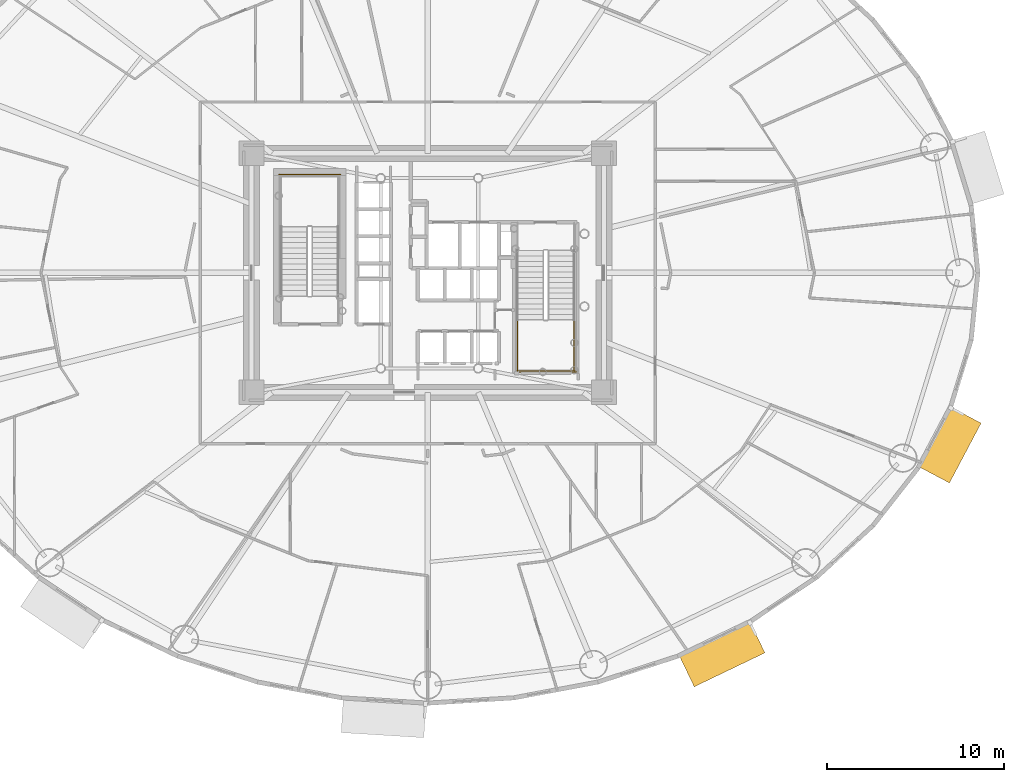
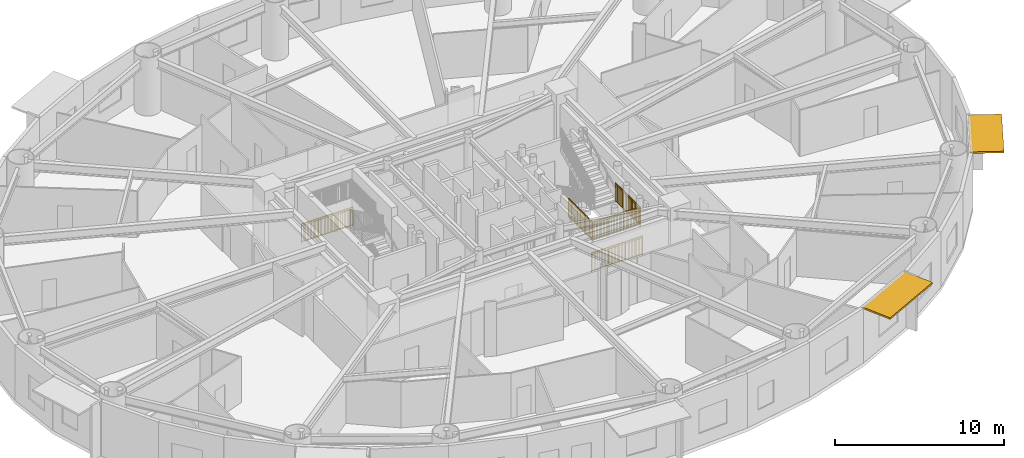
# One storey, part 18 of 21: 5 railings, 2 shading devices.
"""IFC4 building model written with IfcOpenShell, lengths in metres."""

from ifc_helpers import new_model, si_unit, direction, frame, origin, origin_2d, place, context, subcontext, project, spatial, rectangle, extrude, source, transform, mapped, material, layer, layer_set, type_object, element, save


model = new_model("IFC4")

# Units and contexts
model_context = context("Model", 3, precision=1e-05, world=origin(), true_north=direction((0.0, 1.0)))
body_context = subcontext(model_context, "Body", "Model", "MODEL_VIEW")
ifc_project = project(units=[si_unit("LENGTHUNIT", "METRE"), si_unit("AREAUNIT", "SQUARE_METRE"), si_unit("VOLUMEUNIT", "CUBIC_METRE"), si_unit("PLANEANGLEUNIT", "RADIAN"), si_unit("MASSUNIT", "GRAM", prefix="KILO")], contexts=[model_context])

# Site, building, storey
site_placement = place(None, origin())
site = spatial("IfcSite", under=ifc_project, at=site_placement, CompositionType="ELEMENT")
building_placement = place(site_placement, origin())
building = spatial("IfcBuilding", under=site, at=building_placement, Name="Linh Dai School and Residence Tower", CompositionType="ELEMENT")
storey_placement = place(building_placement, frame((0.0, 0.0, 78.60009765625)))
storey = spatial("IfcBuildingStorey", under=building, at=storey_placement, Name="L18", CompositionType="ELEMENT", Elevation=78.60009765625)

# Shading devices
ifc_material_1 = material(Name="Terracotta Ceramic Sunshade", Category="masonry")
ifc_layer = layer(ifc_material_1, 0.1201171875)
ifc_layer_set = layer_set([ifc_layer], Name="Terracotta Ceramic Sunshade")
shading_device_type = type_object("IfcShadingDeviceType", Name="SHD-TC-2000", PredefinedType="USERDEFINED", material=ifc_layer_set)
shared_shape_1 = source(origin(), body_context, "Body", "SweptSolid", [
    extrude(rectangle(XDim=4.428466796875, YDim=2.0, at=origin_2d()), origin(), (0.0, 0.0, 1.0), 0.1201171875),
])
shading_device_1_placement = place(storey_placement, frame((52.613037109375, 5.48095703125, 3.809814453125), z_axis=(0.0, 0.0, 1.0), x_axis=(-0.901584514626, -0.432603008528, 0.0)))
element("IfcShadingDevice", 1, at=shading_device_1_placement, inside=storey, type_object=shading_device_type, Name="L18 Terracotta Horizontal Sunshade Band 34", ObjectType="SUNSHADE", PredefinedType="USERDEFINED", context=body_context, shape_type="MappedRepresentation", body=[
    mapped(shared_shape_1, transform((0.0, 0.0, 0.0), x_axis=(1.0, 0.0, 0.0), y_axis=(0.0, 1.0, 0.0), z_axis=(0.0, 0.0, 1.0), scale=1.0)),
])
shared_shape_2 = source(origin(), body_context, "Body", "SweptSolid", [
    extrude(rectangle(XDim=3.824462890625, YDim=2.0, at=origin_2d()), origin(), (0.0, 0.0, 1.0), 0.1201171875),
])
shading_device_2_placement = place(storey_placement, frame((65.474609375, 17.2890625, 3.809814453125), z_axis=(0.0, 0.0, 1.0), x_axis=(-0.467611940042, -0.883933862645, 0.0)))
element("IfcShadingDevice", 2, at=shading_device_2_placement, inside=storey, type_object=shading_device_type, Name="L18 Terracotta Horizontal Sunshade Band 38", ObjectType="SUNSHADE", PredefinedType="USERDEFINED", context=body_context, shape_type="MappedRepresentation", body=[
    mapped(shared_shape_2, transform((0.0, 0.0, 0.0), x_axis=(1.0, 0.0, 0.0), y_axis=(0.0, 1.0, 0.0), z_axis=(0.0, 0.0, 1.0), scale=1.0)),
])

# Railings
ifc_material_2 = material(Name="Structural Steel S355JR", Category="steel")
railing_type = type_object("IfcRailingType", Name="RL-ST-GUARD-1400", PredefinedType="GUARDRAIL", material=ifc_material_2)
shared_shape_3 = source(origin(), body_context, "Body", "SweptSolid", [
    extrude(rectangle(XDim=0.048095703125, YDim=0.048095703125, at=origin_2d()), frame((0.0, 0.0, 1.3759765625), z_axis=(-1.0, 0.0, 0.0), x_axis=(0.0, -1.0, 0.0)), (0.0, 0.0, 1.0), 3.5),
    extrude(rectangle(XDim=0.048095703125, YDim=0.048095703125, at=origin_2d()), frame((0.0, 0.0, 0.10009765625), z_axis=(-1.0, 0.0, 0.0), x_axis=(0.0, -1.0, 0.0)), (0.0, 0.0, 1.0), 3.5),
    extrude(rectangle(XDim=0.030029296875, YDim=0.030029296875, at=origin_2d()), frame((0.0, 0.0, 1.239990234375), z_axis=(-1.0, 0.0, 0.0), x_axis=(0.0, -1.0, 0.0)), (0.0, 0.0, 1.0), 3.5),
    extrude(rectangle(XDim=0.02001953125, YDim=0.02001953125, at=origin_2d()), frame((-0.09716796875, 0.0, 0.10009765625)), (0.0, 0.0, 1.0), 1.251708984375),
    extrude(rectangle(XDim=0.02001953125, YDim=0.02001953125, at=origin_2d()), frame((-0.1943359375, 0.0, 0.10009765625)), (0.0, 0.0, 1.0), 1.251708984375),
    extrude(rectangle(XDim=0.02001953125, YDim=0.02001953125, at=origin_2d()), frame((-0.291748046875, 0.0, 0.10009765625)), (0.0, 0.0, 1.0), 1.251708984375),
    extrude(rectangle(XDim=0.02001953125, YDim=0.02001953125, at=origin_2d()), frame((-0.388916015625, 0.0, 0.10009765625)), (0.0, 0.0, 1.0), 1.251708984375),
    extrude(rectangle(XDim=0.02001953125, YDim=0.02001953125, at=origin_2d()), frame((-0.486083984375, 0.0, 0.10009765625)), (0.0, 0.0, 1.0), 1.251708984375),
    extrude(rectangle(XDim=0.02001953125, YDim=0.02001953125, at=origin_2d()), frame((-0.583251953125, 0.0, 0.10009765625)), (0.0, 0.0, 1.0), 1.251708984375),
    extrude(rectangle(XDim=0.02001953125, YDim=0.02001953125, at=origin_2d()), frame((-0.6806640625, 0.0, 0.10009765625)), (0.0, 0.0, 1.0), 1.251708984375),
    extrude(rectangle(XDim=0.02001953125, YDim=0.02001953125, at=origin_2d()), frame((-0.77783203125, 0.0, 0.10009765625)), (0.0, 0.0, 1.0), 1.251708984375),
    extrude(rectangle(XDim=0.02001953125, YDim=0.02001953125, at=origin_2d()), frame((-0.875, 0.0, 0.10009765625)), (0.0, 0.0, 1.0), 1.251708984375),
    extrude(rectangle(XDim=0.02001953125, YDim=0.02001953125, at=origin_2d()), frame((-0.97216796875, 0.0, 0.10009765625)), (0.0, 0.0, 1.0), 1.251708984375),
    extrude(rectangle(XDim=0.02001953125, YDim=0.02001953125, at=origin_2d()), frame((-1.0693359375, 0.0, 0.10009765625)), (0.0, 0.0, 1.0), 1.251708984375),
    extrude(rectangle(XDim=0.02001953125, YDim=0.02001953125, at=origin_2d()), frame((-1.263916015625, 0.0, 0.10009765625)), (0.0, 0.0, 1.0), 1.251708984375),
    extrude(rectangle(XDim=0.02001953125, YDim=0.02001953125, at=origin_2d()), frame((-1.361083984375, 0.0, 0.10009765625)), (0.0, 0.0, 1.0), 1.251708984375),
    extrude(rectangle(XDim=0.02001953125, YDim=0.02001953125, at=origin_2d()), frame((-1.458251953125, 0.0, 0.10009765625)), (0.0, 0.0, 1.0), 1.251708984375),
    extrude(rectangle(XDim=0.02001953125, YDim=0.02001953125, at=origin_2d()), frame((-1.5556640625, 0.0, 0.10009765625)), (0.0, 0.0, 1.0), 1.251708984375),
    extrude(rectangle(XDim=0.02001953125, YDim=0.02001953125, at=origin_2d()), frame((-1.65283203125, 0.0, 0.10009765625)), (0.0, 0.0, 1.0), 1.251708984375),
    extrude(rectangle(XDim=0.02001953125, YDim=0.02001953125, at=origin_2d()), frame((-1.75, 0.0, 0.10009765625)), (0.0, 0.0, 1.0), 1.251708984375),
    extrude(rectangle(XDim=0.02001953125, YDim=0.02001953125, at=origin_2d()), frame((-1.84716796875, 0.0, 0.10009765625)), (0.0, 0.0, 1.0), 1.251708984375),
    extrude(rectangle(XDim=0.02001953125, YDim=0.02001953125, at=origin_2d()), frame((-1.9443359375, 0.0, 0.10009765625)), (0.0, 0.0, 1.0), 1.251708984375),
    extrude(rectangle(XDim=0.02001953125, YDim=0.02001953125, at=origin_2d()), frame((-2.041748046875, 0.0, 0.10009765625)), (0.0, 0.0, 1.0), 1.251708984375),
    extrude(rectangle(XDim=0.02001953125, YDim=0.02001953125, at=origin_2d()), frame((-2.138916015625, 0.0, 0.10009765625)), (0.0, 0.0, 1.0), 1.251708984375),
    extrude(rectangle(XDim=0.02001953125, YDim=0.02001953125, at=origin_2d()), frame((-2.236083984375, 0.0, 0.10009765625)), (0.0, 0.0, 1.0), 1.251708984375),
    extrude(rectangle(XDim=0.02001953125, YDim=0.02001953125, at=origin_2d()), frame((-2.4306640625, 0.0, 0.10009765625)), (0.0, 0.0, 1.0), 1.251708984375),
    extrude(rectangle(XDim=0.02001953125, YDim=0.02001953125, at=origin_2d()), frame((-2.52783203125, 0.0, 0.10009765625)), (0.0, 0.0, 1.0), 1.251708984375),
    extrude(rectangle(XDim=0.02001953125, YDim=0.02001953125, at=origin_2d()), frame((-2.625, 0.0, 0.10009765625)), (0.0, 0.0, 1.0), 1.251708984375),
    extrude(rectangle(XDim=0.02001953125, YDim=0.02001953125, at=origin_2d()), frame((-2.72216796875, 0.0, 0.10009765625)), (0.0, 0.0, 1.0), 1.251708984375),
    extrude(rectangle(XDim=0.02001953125, YDim=0.02001953125, at=origin_2d()), frame((-2.8193359375, 0.0, 0.10009765625)), (0.0, 0.0, 1.0), 1.251708984375),
    extrude(rectangle(XDim=0.02001953125, YDim=0.02001953125, at=origin_2d()), frame((-2.916748046875, 0.0, 0.10009765625)), (0.0, 0.0, 1.0), 1.251708984375),
    extrude(rectangle(XDim=0.02001953125, YDim=0.02001953125, at=origin_2d()), frame((-3.013916015625, 0.0, 0.10009765625)), (0.0, 0.0, 1.0), 1.251708984375),
    extrude(rectangle(XDim=0.02001953125, YDim=0.02001953125, at=origin_2d()), frame((-3.111083984375, 0.0, 0.10009765625)), (0.0, 0.0, 1.0), 1.251708984375),
    extrude(rectangle(XDim=0.02001953125, YDim=0.02001953125, at=origin_2d()), frame((-3.208251953125, 0.0, 0.10009765625)), (0.0, 0.0, 1.0), 1.251708984375),
    extrude(rectangle(XDim=0.02001953125, YDim=0.02001953125, at=origin_2d()), frame((-3.3056640625, 0.0, 0.10009765625)), (0.0, 0.0, 1.0), 1.251708984375),
    extrude(rectangle(XDim=0.02001953125, YDim=0.02001953125, at=origin_2d()), frame((-3.40283203125, 0.0, 0.10009765625)), (0.0, 0.0, 1.0), 1.251708984375),
    extrude(rectangle(XDim=0.0419921875, YDim=0.0419921875, at=origin_2d()), origin(), (0.0, 0.0, 1.0), 1.3759765625),
    extrude(rectangle(XDim=0.0419921875, YDim=0.0419921875, at=origin_2d()), frame((-1.166748046875, 0.0, 0.0)), (0.0, 0.0, 1.0), 1.3759765625),
    extrude(rectangle(XDim=0.0419921875, YDim=0.0419921875, at=origin_2d()), frame((-2.333251953125, 0.0, 0.0)), (0.0, 0.0, 1.0), 1.3759765625),
    extrude(rectangle(XDim=0.0419921875, YDim=0.0419921875, at=origin_2d()), frame((-3.5, 0.0, 0.0)), (0.0, 0.0, 1.0), 1.3759765625),
])
railing_1_placement = place(storey_placement, frame((31.080078125, 32.550048828125, 0.0)))
element("IfcRailing", 3, at=railing_1_placement, inside=storey, type_object=railing_type, Name="L18 ST1 stair guard 12", PredefinedType="GUARDRAIL", context=body_context, shape_type="MappedRepresentation", body=[
    mapped(shared_shape_3, transform((0.0, 0.0, 0.0), x_axis=(1.0, 0.0, 0.0), y_axis=(0.0, 1.0, 0.0), z_axis=(0.0, 0.0, 1.0), scale=1.0)),
])
shared_shape_4 = source(origin(), body_context, "Body", "SweptSolid", [
    extrude(rectangle(XDim=0.048095703125, YDim=0.048095703125, at=origin_2d()), frame((0.0, 0.0, 1.3759765625), z_axis=(1.0, 0.0, 0.0), x_axis=(0.0, 1.0, 0.0)), (0.0, 0.0, 1.0), 3.300048828125),
    extrude(rectangle(XDim=0.048095703125, YDim=0.048095703125, at=origin_2d()), frame((0.0, 0.0, 0.10009765625), z_axis=(1.0, 0.0, 0.0), x_axis=(0.0, 1.0, 0.0)), (0.0, 0.0, 1.0), 3.300048828125),
    extrude(rectangle(XDim=0.030029296875, YDim=0.030029296875, at=origin_2d()), frame((0.0, 0.0, 1.239990234375), z_axis=(1.0, 0.0, 0.0), x_axis=(0.0, 1.0, 0.0)), (0.0, 0.0, 1.0), 3.300048828125),
    extrude(rectangle(XDim=0.02001953125, YDim=0.02001953125, at=origin_2d()), frame((0.09716796875, 0.0, 0.10009765625)), (0.0, 0.0, 1.0), 1.251708984375),
    extrude(rectangle(XDim=0.02001953125, YDim=0.02001953125, at=origin_2d()), frame((0.194091796875, 0.0, 0.10009765625)), (0.0, 0.0, 1.0), 1.251708984375),
    extrude(rectangle(XDim=0.02001953125, YDim=0.02001953125, at=origin_2d()), frame((0.291259765625, 0.0, 0.10009765625)), (0.0, 0.0, 1.0), 1.251708984375),
    extrude(rectangle(XDim=0.02001953125, YDim=0.02001953125, at=origin_2d()), frame((0.38818359375, 0.0, 0.10009765625)), (0.0, 0.0, 1.0), 1.251708984375),
    extrude(rectangle(XDim=0.02001953125, YDim=0.02001953125, at=origin_2d()), frame((0.4853515625, 0.0, 0.10009765625)), (0.0, 0.0, 1.0), 1.251708984375),
    extrude(rectangle(XDim=0.02001953125, YDim=0.02001953125, at=origin_2d()), frame((0.582275390625, 0.0, 0.10009765625)), (0.0, 0.0, 1.0), 1.251708984375),
    extrude(rectangle(XDim=0.02001953125, YDim=0.02001953125, at=origin_2d()), frame((0.679443359375, 0.0, 0.10009765625)), (0.0, 0.0, 1.0), 1.251708984375),
    extrude(rectangle(XDim=0.02001953125, YDim=0.02001953125, at=origin_2d()), frame((0.7763671875, 0.0, 0.10009765625)), (0.0, 0.0, 1.0), 1.251708984375),
    extrude(rectangle(XDim=0.02001953125, YDim=0.02001953125, at=origin_2d()), frame((0.87353515625, 0.0, 0.10009765625)), (0.0, 0.0, 1.0), 1.251708984375),
    extrude(rectangle(XDim=0.02001953125, YDim=0.02001953125, at=origin_2d()), frame((0.970703125, 0.0, 0.10009765625)), (0.0, 0.0, 1.0), 1.251708984375),
    extrude(rectangle(XDim=0.02001953125, YDim=0.02001953125, at=origin_2d()), frame((1.164794921875, 0.0, 0.10009765625)), (0.0, 0.0, 1.0), 1.251708984375),
    extrude(rectangle(XDim=0.02001953125, YDim=0.02001953125, at=origin_2d()), frame((1.26171875, 0.0, 0.10009765625)), (0.0, 0.0, 1.0), 1.251708984375),
    extrude(rectangle(XDim=0.02001953125, YDim=0.02001953125, at=origin_2d()), frame((1.35888671875, 0.0, 0.10009765625)), (0.0, 0.0, 1.0), 1.251708984375),
    extrude(rectangle(XDim=0.02001953125, YDim=0.02001953125, at=origin_2d()), frame((1.455810546875, 0.0, 0.10009765625)), (0.0, 0.0, 1.0), 1.251708984375),
    extrude(rectangle(XDim=0.02001953125, YDim=0.02001953125, at=origin_2d()), frame((1.552978515625, 0.0, 0.10009765625)), (0.0, 0.0, 1.0), 1.251708984375),
    extrude(rectangle(XDim=0.02001953125, YDim=0.02001953125, at=origin_2d()), frame((1.64990234375, 0.0, 0.10009765625)), (0.0, 0.0, 1.0), 1.251708984375),
    extrude(rectangle(XDim=0.02001953125, YDim=0.02001953125, at=origin_2d()), frame((1.7470703125, 0.0, 0.10009765625)), (0.0, 0.0, 1.0), 1.251708984375),
    extrude(rectangle(XDim=0.02001953125, YDim=0.02001953125, at=origin_2d()), frame((1.84423828125, 0.0, 0.10009765625)), (0.0, 0.0, 1.0), 1.251708984375),
    extrude(rectangle(XDim=0.02001953125, YDim=0.02001953125, at=origin_2d()), frame((1.941162109375, 0.0, 0.10009765625)), (0.0, 0.0, 1.0), 1.251708984375),
    extrude(rectangle(XDim=0.02001953125, YDim=0.02001953125, at=origin_2d()), frame((2.038330078125, 0.0, 0.10009765625)), (0.0, 0.0, 1.0), 1.251708984375),
    extrude(rectangle(XDim=0.02001953125, YDim=0.02001953125, at=origin_2d()), frame((2.13525390625, 0.0, 0.10009765625)), (0.0, 0.0, 1.0), 1.251708984375),
    extrude(rectangle(XDim=0.02001953125, YDim=0.02001953125, at=origin_2d()), frame((2.329345703125, 0.0, 0.10009765625)), (0.0, 0.0, 1.0), 1.251708984375),
    extrude(rectangle(XDim=0.02001953125, YDim=0.02001953125, at=origin_2d()), frame((2.426513671875, 0.0, 0.10009765625)), (0.0, 0.0, 1.0), 1.251708984375),
    extrude(rectangle(XDim=0.02001953125, YDim=0.02001953125, at=origin_2d()), frame((2.523681640625, 0.0, 0.10009765625)), (0.0, 0.0, 1.0), 1.251708984375),
    extrude(rectangle(XDim=0.02001953125, YDim=0.02001953125, at=origin_2d()), frame((2.62060546875, 0.0, 0.10009765625)), (0.0, 0.0, 1.0), 1.251708984375),
    extrude(rectangle(XDim=0.02001953125, YDim=0.02001953125, at=origin_2d()), frame((2.7177734375, 0.0, 0.10009765625)), (0.0, 0.0, 1.0), 1.251708984375),
    extrude(rectangle(XDim=0.02001953125, YDim=0.02001953125, at=origin_2d()), frame((2.814697265625, 0.0, 0.10009765625)), (0.0, 0.0, 1.0), 1.251708984375),
    extrude(rectangle(XDim=0.02001953125, YDim=0.02001953125, at=origin_2d()), frame((2.911865234375, 0.0, 0.10009765625)), (0.0, 0.0, 1.0), 1.251708984375),
    extrude(rectangle(XDim=0.02001953125, YDim=0.02001953125, at=origin_2d()), frame((3.0087890625, 0.0, 0.10009765625)), (0.0, 0.0, 1.0), 1.251708984375),
    extrude(rectangle(XDim=0.02001953125, YDim=0.02001953125, at=origin_2d()), frame((3.10595703125, 0.0, 0.10009765625)), (0.0, 0.0, 1.0), 1.251708984375),
    extrude(rectangle(XDim=0.02001953125, YDim=0.02001953125, at=origin_2d()), frame((3.202880859375, 0.0, 0.10009765625)), (0.0, 0.0, 1.0), 1.251708984375),
    extrude(rectangle(XDim=0.0419921875, YDim=0.0419921875, at=origin_2d()), origin(), (0.0, 0.0, 1.0), 1.3759765625),
    extrude(rectangle(XDim=0.0419921875, YDim=0.0419921875, at=origin_2d()), frame((1.10009765625, 0.0, 0.0)), (0.0, 0.0, 1.0), 1.3759765625),
    extrude(rectangle(XDim=0.0419921875, YDim=0.0419921875, at=origin_2d()), frame((2.199951171875, 0.0, 0.0)), (0.0, 0.0, 1.0), 1.3759765625),
    extrude(rectangle(XDim=0.0419921875, YDim=0.0419921875, at=origin_2d()), frame((3.300048828125, 0.0, 0.0)), (0.0, 0.0, 1.0), 1.3759765625),
])
railing_2_placement = place(storey_placement, frame((41.02001953125, 21.5, 2.099853515625)))
element("IfcRailing", 4, at=railing_2_placement, inside=storey, type_object=railing_type, Name="L18 ST2 stair guard 5", PredefinedType="GUARDRAIL", context=body_context, shape_type="MappedRepresentation", body=[
    mapped(shared_shape_4, transform((0.0, 0.0, 0.0), x_axis=(1.0, 0.0, 0.0), y_axis=(0.0, 1.0, 0.0), z_axis=(0.0, 0.0, 1.0), scale=1.0)),
])
shared_shape_5 = source(origin(), body_context, "Body", "SweptSolid", [
    extrude(rectangle(XDim=0.048095703125, YDim=0.048095703125, at=origin_2d()), frame((0.0, 0.0, 1.3759765625), z_axis=(1.0, 0.0, 0.0), x_axis=(0.0, 1.0, 0.0)), (0.0, 0.0, 1.0), 3.5),
    extrude(rectangle(XDim=0.048095703125, YDim=0.048095703125, at=origin_2d()), frame((0.0, 0.0, 0.10009765625), z_axis=(1.0, 0.0, 0.0), x_axis=(0.0, 1.0, 0.0)), (0.0, 0.0, 1.0), 3.5),
    extrude(rectangle(XDim=0.030029296875, YDim=0.030029296875, at=origin_2d()), frame((0.0, 0.0, 1.239990234375), z_axis=(1.0, 0.0, 0.0), x_axis=(0.0, 1.0, 0.0)), (0.0, 0.0, 1.0), 3.5),
    extrude(rectangle(XDim=0.02001953125, YDim=0.02001953125, at=origin_2d()), frame((0.09716796875, 0.0, 0.10009765625)), (0.0, 0.0, 1.0), 1.251708984375),
    extrude(rectangle(XDim=0.02001953125, YDim=0.02001953125, at=origin_2d()), frame((0.1943359375, 0.0, 0.10009765625)), (0.0, 0.0, 1.0), 1.251708984375),
    extrude(rectangle(XDim=0.02001953125, YDim=0.02001953125, at=origin_2d()), frame((0.291748046875, 0.0, 0.10009765625)), (0.0, 0.0, 1.0), 1.251708984375),
    extrude(rectangle(XDim=0.02001953125, YDim=0.02001953125, at=origin_2d()), frame((0.388916015625, 0.0, 0.10009765625)), (0.0, 0.0, 1.0), 1.251708984375),
    extrude(rectangle(XDim=0.02001953125, YDim=0.02001953125, at=origin_2d()), frame((0.486083984375, 0.0, 0.10009765625)), (0.0, 0.0, 1.0), 1.251708984375),
    extrude(rectangle(XDim=0.02001953125, YDim=0.02001953125, at=origin_2d()), frame((0.583251953125, 0.0, 0.10009765625)), (0.0, 0.0, 1.0), 1.251708984375),
    extrude(rectangle(XDim=0.02001953125, YDim=0.02001953125, at=origin_2d()), frame((0.6806640625, 0.0, 0.10009765625)), (0.0, 0.0, 1.0), 1.251708984375),
    extrude(rectangle(XDim=0.02001953125, YDim=0.02001953125, at=origin_2d()), frame((0.77783203125, 0.0, 0.10009765625)), (0.0, 0.0, 1.0), 1.251708984375),
    extrude(rectangle(XDim=0.02001953125, YDim=0.02001953125, at=origin_2d()), frame((0.875, 0.0, 0.10009765625)), (0.0, 0.0, 1.0), 1.251708984375),
    extrude(rectangle(XDim=0.02001953125, YDim=0.02001953125, at=origin_2d()), frame((0.97216796875, 0.0, 0.10009765625)), (0.0, 0.0, 1.0), 1.251708984375),
    extrude(rectangle(XDim=0.02001953125, YDim=0.02001953125, at=origin_2d()), frame((1.0693359375, 0.0, 0.10009765625)), (0.0, 0.0, 1.0), 1.251708984375),
    extrude(rectangle(XDim=0.02001953125, YDim=0.02001953125, at=origin_2d()), frame((1.263916015625, 0.0, 0.10009765625)), (0.0, 0.0, 1.0), 1.251708984375),
    extrude(rectangle(XDim=0.02001953125, YDim=0.02001953125, at=origin_2d()), frame((1.361083984375, 0.0, 0.10009765625)), (0.0, 0.0, 1.0), 1.251708984375),
    extrude(rectangle(XDim=0.02001953125, YDim=0.02001953125, at=origin_2d()), frame((1.458251953125, 0.0, 0.10009765625)), (0.0, 0.0, 1.0), 1.251708984375),
    extrude(rectangle(XDim=0.02001953125, YDim=0.02001953125, at=origin_2d()), frame((1.5556640625, 0.0, 0.10009765625)), (0.0, 0.0, 1.0), 1.251708984375),
    extrude(rectangle(XDim=0.02001953125, YDim=0.02001953125, at=origin_2d()), frame((1.65283203125, 0.0, 0.10009765625)), (0.0, 0.0, 1.0), 1.251708984375),
    extrude(rectangle(XDim=0.02001953125, YDim=0.02001953125, at=origin_2d()), frame((1.75, 0.0, 0.10009765625)), (0.0, 0.0, 1.0), 1.251708984375),
    extrude(rectangle(XDim=0.02001953125, YDim=0.02001953125, at=origin_2d()), frame((1.84716796875, 0.0, 0.10009765625)), (0.0, 0.0, 1.0), 1.251708984375),
    extrude(rectangle(XDim=0.02001953125, YDim=0.02001953125, at=origin_2d()), frame((1.9443359375, 0.0, 0.10009765625)), (0.0, 0.0, 1.0), 1.251708984375),
    extrude(rectangle(XDim=0.02001953125, YDim=0.02001953125, at=origin_2d()), frame((2.041748046875, 0.0, 0.10009765625)), (0.0, 0.0, 1.0), 1.251708984375),
    extrude(rectangle(XDim=0.02001953125, YDim=0.02001953125, at=origin_2d()), frame((2.138916015625, 0.0, 0.10009765625)), (0.0, 0.0, 1.0), 1.251708984375),
    extrude(rectangle(XDim=0.02001953125, YDim=0.02001953125, at=origin_2d()), frame((2.236083984375, 0.0, 0.10009765625)), (0.0, 0.0, 1.0), 1.251708984375),
    extrude(rectangle(XDim=0.02001953125, YDim=0.02001953125, at=origin_2d()), frame((2.4306640625, 0.0, 0.10009765625)), (0.0, 0.0, 1.0), 1.251708984375),
    extrude(rectangle(XDim=0.02001953125, YDim=0.02001953125, at=origin_2d()), frame((2.52783203125, 0.0, 0.10009765625)), (0.0, 0.0, 1.0), 1.251708984375),
    extrude(rectangle(XDim=0.02001953125, YDim=0.02001953125, at=origin_2d()), frame((2.625, 0.0, 0.10009765625)), (0.0, 0.0, 1.0), 1.251708984375),
    extrude(rectangle(XDim=0.02001953125, YDim=0.02001953125, at=origin_2d()), frame((2.72216796875, 0.0, 0.10009765625)), (0.0, 0.0, 1.0), 1.251708984375),
    extrude(rectangle(XDim=0.02001953125, YDim=0.02001953125, at=origin_2d()), frame((2.8193359375, 0.0, 0.10009765625)), (0.0, 0.0, 1.0), 1.251708984375),
    extrude(rectangle(XDim=0.02001953125, YDim=0.02001953125, at=origin_2d()), frame((2.916748046875, 0.0, 0.10009765625)), (0.0, 0.0, 1.0), 1.251708984375),
    extrude(rectangle(XDim=0.02001953125, YDim=0.02001953125, at=origin_2d()), frame((3.013916015625, 0.0, 0.10009765625)), (0.0, 0.0, 1.0), 1.251708984375),
    extrude(rectangle(XDim=0.02001953125, YDim=0.02001953125, at=origin_2d()), frame((3.111083984375, 0.0, 0.10009765625)), (0.0, 0.0, 1.0), 1.251708984375),
    extrude(rectangle(XDim=0.02001953125, YDim=0.02001953125, at=origin_2d()), frame((3.208251953125, 0.0, 0.10009765625)), (0.0, 0.0, 1.0), 1.251708984375),
    extrude(rectangle(XDim=0.02001953125, YDim=0.02001953125, at=origin_2d()), frame((3.3056640625, 0.0, 0.10009765625)), (0.0, 0.0, 1.0), 1.251708984375),
    extrude(rectangle(XDim=0.02001953125, YDim=0.02001953125, at=origin_2d()), frame((3.40283203125, 0.0, 0.10009765625)), (0.0, 0.0, 1.0), 1.251708984375),
    extrude(rectangle(XDim=0.0419921875, YDim=0.0419921875, at=origin_2d()), origin(), (0.0, 0.0, 1.0), 1.3759765625),
    extrude(rectangle(XDim=0.0419921875, YDim=0.0419921875, at=origin_2d()), frame((1.166748046875, 0.0, 0.0)), (0.0, 0.0, 1.0), 1.3759765625),
    extrude(rectangle(XDim=0.0419921875, YDim=0.0419921875, at=origin_2d()), frame((2.333251953125, 0.0, 0.0)), (0.0, 0.0, 1.0), 1.3759765625),
    extrude(rectangle(XDim=0.0419921875, YDim=0.0419921875, at=origin_2d()), frame((3.5, 0.0, 0.0)), (0.0, 0.0, 1.0), 1.3759765625),
])
railing_3_placement = place(storey_placement, frame((40.919921875, 21.39990234375, 0.0)))
element("IfcRailing", 5, at=railing_3_placement, inside=storey, type_object=railing_type, Name="L18 ST2 stair guard 12", PredefinedType="GUARDRAIL", context=body_context, shape_type="MappedRepresentation", body=[
    mapped(shared_shape_5, transform((0.0, 0.0, 0.0), x_axis=(1.0, 0.0, 0.0), y_axis=(0.0, 1.0, 0.0), z_axis=(0.0, 0.0, 1.0), scale=1.0)),
])
shared_shape_6 = source(origin(), body_context, "Body", "SweptSolid", [
    extrude(rectangle(XDim=0.048095703125, YDim=0.048095703125, at=origin_2d()), frame((0.0, 0.0, 1.3759765625), z_axis=(0.0, -1.0, 0.0), x_axis=(1.0, 0.0, 0.0)), (0.0, 0.0, 1.0), 2.900146484375),
    extrude(rectangle(XDim=0.048095703125, YDim=0.048095703125, at=origin_2d()), frame((0.0, 0.0, 0.10009765625), z_axis=(0.0, -1.0, 0.0), x_axis=(1.0, 0.0, 0.0)), (0.0, 0.0, 1.0), 2.900146484375),
    extrude(rectangle(XDim=0.030029296875, YDim=0.030029296875, at=origin_2d()), frame((0.0, 0.0, 1.239990234375), z_axis=(0.0, -1.0, 0.0), x_axis=(1.0, 0.0, 0.0)), (0.0, 0.0, 1.0), 2.900146484375),
    extrude(rectangle(XDim=0.02001953125, YDim=0.02001953125, at=origin_2d()), frame((0.0, -0.0966796875, 0.10009765625)), (0.0, 0.0, 1.0), 1.251708984375),
    extrude(rectangle(XDim=0.02001953125, YDim=0.02001953125, at=origin_2d()), frame((0.0, -0.193359375, 0.10009765625)), (0.0, 0.0, 1.0), 1.251708984375),
    extrude(rectangle(XDim=0.02001953125, YDim=0.02001953125, at=origin_2d()), frame((0.0, -0.2900390625, 0.10009765625)), (0.0, 0.0, 1.0), 1.251708984375),
    extrude(rectangle(XDim=0.02001953125, YDim=0.02001953125, at=origin_2d()), frame((0.0, -0.38671875, 0.10009765625)), (0.0, 0.0, 1.0), 1.251708984375),
    extrude(rectangle(XDim=0.02001953125, YDim=0.02001953125, at=origin_2d()), frame((0.0, -0.4833984375, 0.10009765625)), (0.0, 0.0, 1.0), 1.251708984375),
    extrude(rectangle(XDim=0.02001953125, YDim=0.02001953125, at=origin_2d()), frame((0.0, -0.580078125, 0.10009765625)), (0.0, 0.0, 1.0), 1.251708984375),
    extrude(rectangle(XDim=0.02001953125, YDim=0.02001953125, at=origin_2d()), frame((0.0, -0.6767578125, 0.10009765625)), (0.0, 0.0, 1.0), 1.251708984375),
    extrude(rectangle(XDim=0.02001953125, YDim=0.02001953125, at=origin_2d()), frame((0.0, -0.7734375, 0.10009765625)), (0.0, 0.0, 1.0), 1.251708984375),
    extrude(rectangle(XDim=0.02001953125, YDim=0.02001953125, at=origin_2d()), frame((0.0, -0.8701171875, 0.10009765625)), (0.0, 0.0, 1.0), 1.251708984375),
    extrude(rectangle(XDim=0.02001953125, YDim=0.02001953125, at=origin_2d()), frame((0.0, -1.0634765625, 0.10009765625)), (0.0, 0.0, 1.0), 1.251708984375),
    extrude(rectangle(XDim=0.02001953125, YDim=0.02001953125, at=origin_2d()), frame((0.0, -1.16015625, 0.10009765625)), (0.0, 0.0, 1.0), 1.251708984375),
    extrude(rectangle(XDim=0.02001953125, YDim=0.02001953125, at=origin_2d()), frame((0.0, -1.2568359375, 0.10009765625)), (0.0, 0.0, 1.0), 1.251708984375),
    extrude(rectangle(XDim=0.02001953125, YDim=0.02001953125, at=origin_2d()), frame((0.0, -1.353515625, 0.10009765625)), (0.0, 0.0, 1.0), 1.251708984375),
    extrude(rectangle(XDim=0.02001953125, YDim=0.02001953125, at=origin_2d()), frame((0.0, -1.4501953125, 0.10009765625)), (0.0, 0.0, 1.0), 1.251708984375),
    extrude(rectangle(XDim=0.02001953125, YDim=0.02001953125, at=origin_2d()), frame((0.0, -1.546630859375, 0.10009765625)), (0.0, 0.0, 1.0), 1.251708984375),
    extrude(rectangle(XDim=0.02001953125, YDim=0.02001953125, at=origin_2d()), frame((0.0, -1.643310546875, 0.10009765625)), (0.0, 0.0, 1.0), 1.251708984375),
    extrude(rectangle(XDim=0.02001953125, YDim=0.02001953125, at=origin_2d()), frame((0.0, -1.739990234375, 0.10009765625)), (0.0, 0.0, 1.0), 1.251708984375),
    extrude(rectangle(XDim=0.02001953125, YDim=0.02001953125, at=origin_2d()), frame((0.0, -1.836669921875, 0.10009765625)), (0.0, 0.0, 1.0), 1.251708984375),
    extrude(rectangle(XDim=0.02001953125, YDim=0.02001953125, at=origin_2d()), frame((0.0, -2.030029296875, 0.10009765625)), (0.0, 0.0, 1.0), 1.251708984375),
    extrude(rectangle(XDim=0.02001953125, YDim=0.02001953125, at=origin_2d()), frame((0.0, -2.126708984375, 0.10009765625)), (0.0, 0.0, 1.0), 1.251708984375),
    extrude(rectangle(XDim=0.02001953125, YDim=0.02001953125, at=origin_2d()), frame((0.0, -2.223388671875, 0.10009765625)), (0.0, 0.0, 1.0), 1.251708984375),
    extrude(rectangle(XDim=0.02001953125, YDim=0.02001953125, at=origin_2d()), frame((0.0, -2.320068359375, 0.10009765625)), (0.0, 0.0, 1.0), 1.251708984375),
    extrude(rectangle(XDim=0.02001953125, YDim=0.02001953125, at=origin_2d()), frame((0.0, -2.416748046875, 0.10009765625)), (0.0, 0.0, 1.0), 1.251708984375),
    extrude(rectangle(XDim=0.02001953125, YDim=0.02001953125, at=origin_2d()), frame((0.0, -2.513427734375, 0.10009765625)), (0.0, 0.0, 1.0), 1.251708984375),
    extrude(rectangle(XDim=0.02001953125, YDim=0.02001953125, at=origin_2d()), frame((0.0, -2.610107421875, 0.10009765625)), (0.0, 0.0, 1.0), 1.251708984375),
    extrude(rectangle(XDim=0.02001953125, YDim=0.02001953125, at=origin_2d()), frame((0.0, -2.706787109375, 0.10009765625)), (0.0, 0.0, 1.0), 1.251708984375),
    extrude(rectangle(XDim=0.02001953125, YDim=0.02001953125, at=origin_2d()), frame((0.0, -2.803466796875, 0.10009765625)), (0.0, 0.0, 1.0), 1.251708984375),
    extrude(rectangle(XDim=0.0419921875, YDim=0.0419921875, at=origin_2d()), origin(), (0.0, 0.0, 1.0), 1.3759765625),
    extrude(rectangle(XDim=0.0419921875, YDim=0.0419921875, at=origin_2d()), frame((0.0, -0.966796875, 0.0)), (0.0, 0.0, 1.0), 1.3759765625),
    extrude(rectangle(XDim=0.0419921875, YDim=0.0419921875, at=origin_2d()), frame((0.0, -1.933349609375, 0.0)), (0.0, 0.0, 1.0), 1.3759765625),
    extrude(rectangle(XDim=0.0419921875, YDim=0.0419921875, at=origin_2d()), frame((0.0, -2.900146484375, 0.0)), (0.0, 0.0, 1.0), 1.3759765625),
])
for number, where, name in (
    (6, (41.070068359375, 24.35009765625, 2.099853515625), "L18 ST2 stair guard 3"),
    (7, (44.27001953125, 24.35009765625, 2.099853515625), "L18 ST2 stair guard 4"),
):
    element("IfcRailing", number, at=place(storey_placement, frame(where)), inside=storey, type_object=railing_type, Name=name, PredefinedType="GUARDRAIL", context=body_context, shape_type="MappedRepresentation", body=[
        mapped(shared_shape_6, transform((0.0, 0.0, 0.0), x_axis=(1.0, 0.0, 0.0), y_axis=(0.0, 1.0, 0.0), z_axis=(0.0, 0.0, 1.0), scale=1.0)),
    ])

save(model, "model.ifc")
